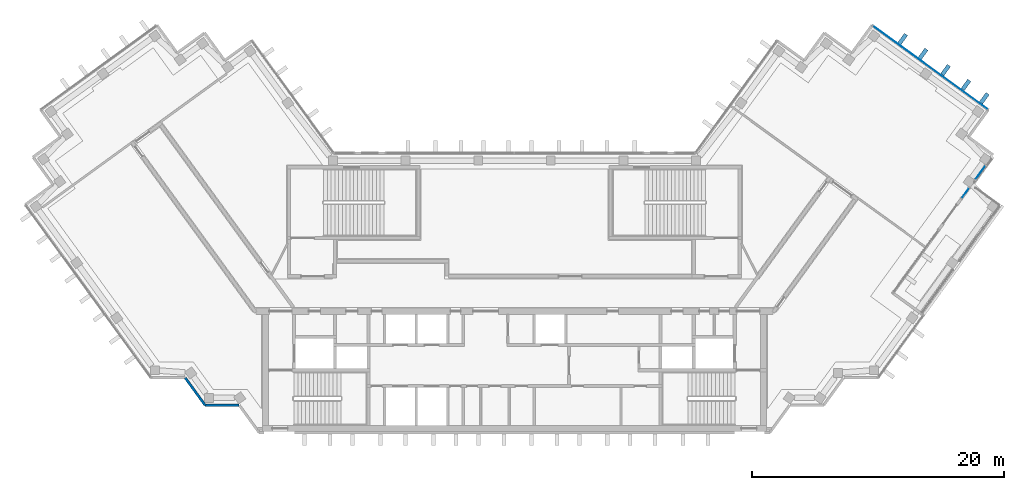
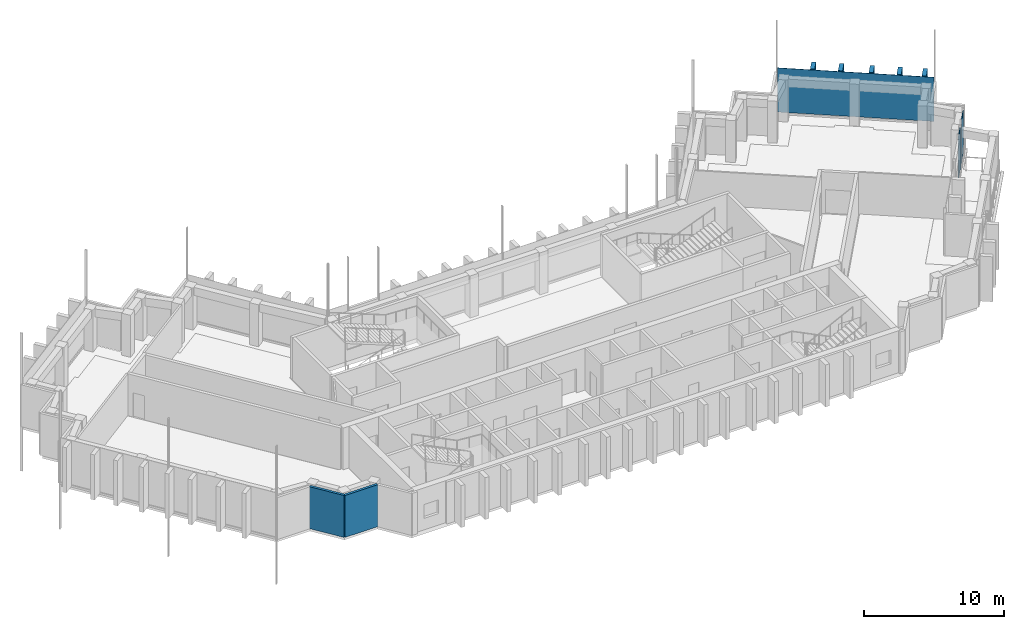
# One storey, part 8 of 14: 8 plates, 2 walls, 3 elements without a shape of their own.
"""IFC4 building model written with IfcOpenShell, lengths in metres."""

from ifc_helpers import new_model, si_unit, direction, frame, frame_2d, origin, origin_2d, place, context, subcontext, project, spatial, rectangle, extrude, material, layer, layer_set, type_object, element, aggregate, save


model = new_model("IFC4")

# Units and contexts
model_context = context("Model", 3, precision=1e-05, world=origin(), true_north=direction((0.0, 1.0)))
body_context = subcontext(model_context, "Body", "Model", "MODEL_VIEW")
ifc_project = project(units=[si_unit("LENGTHUNIT", "METRE"), si_unit("AREAUNIT", "SQUARE_METRE"), si_unit("VOLUMEUNIT", "CUBIC_METRE"), si_unit("PLANEANGLEUNIT", "RADIAN"), si_unit("MASSUNIT", "GRAM", prefix="KILO")], contexts=[model_context])

# Site, building, storey
site_placement = place(None, origin())
site = spatial("IfcSite", under=ifc_project, at=site_placement, CompositionType="ELEMENT")
building_placement = place(site_placement, origin())
building = spatial("IfcBuilding", under=site, at=building_placement, Name="Quipu Civic Tower", CompositionType="ELEMENT")
storey_placement = place(building_placement, frame((0.0, 0.0, 311.0)))
storey = spatial("IfcBuildingStorey", under=building, at=storey_placement, Name="L72", CompositionType="ELEMENT", Elevation=311.0)

# Curtain wall, plate
ifc_material_1 = material(Name="Insulated glass unit", Category="glass")
curtain_wall_type = type_object("IfcCurtainWallType", Name="Office curtain wall CW1", PredefinedType="NOTDEFINED", material=ifc_material_1)
curtain_wall_1_placement = place(storey_placement, origin())
curtain_wall_1 = element("IfcCurtainWall", 1, at=curtain_wall_1_placement, inside=storey, type_object=curtain_wall_type, Name="Office curtain wall CW1 L72 run 5", PredefinedType="NOTDEFINED")
ifc_material_2 = material(Name="Insulated glass unit", Category="glass")
ifc_layer = layer(ifc_material_2, 0.028076171875)
ifc_layer_set = layer_set([ifc_layer], Name="Insulated glass unit")
plate_type_1 = type_object("IfcPlateType", Name="Glass panel CW1", PredefinedType="CURTAIN_PANEL", material=ifc_layer_set)
plate_1_placement = place(storey_placement, frame((35.766357421875, 7.919921875, 0.240234375), z_axis=(0.0, 0.0, 1.0), x_axis=(0.587814943242, 0.808995421805, 0.0)))
plate_1 = element("IfcPlate", 2, at=plate_1_placement, type_object=plate_type_1, Name="CW1 panel 1.1", PredefinedType="CURTAIN_PANEL", context=body_context, shape_type="SweptSolid", body=[
    extrude(rectangle(XDim=0.990234375, YDim=0.028076171875, at=origin_2d()), origin(), (0.0, 0.0, 1.0), 3.679931640625),
])
aggregate(curtain_wall_1, [plate_1])

curtain_wall_2_placement = place(storey_placement, origin())
curtain_wall_2 = element("IfcCurtainWall", 3, at=curtain_wall_2_placement, inside=storey, type_object=curtain_wall_type, Name="Office curtain wall CW1 L72 run 6", PredefinedType="NOTDEFINED")
plate_2_placement = place(storey_placement, frame((36.956787109375, 9.558349609375, 0.240234375), z_axis=(0.0, 0.0, 1.0), x_axis=(0.587771284804, 0.809027142165, 0.0)))
plate_2 = element("IfcPlate", 4, at=plate_2_placement, type_object=plate_type_1, Name="CW1 panel 1.1", PredefinedType="CURTAIN_PANEL", context=body_context, shape_type="SweptSolid", body=[
    extrude(rectangle(XDim=1.340087890625, YDim=0.028076171875, at=origin_2d()), origin(), (0.0, 0.0, 1.0), 3.679931640625),
])
aggregate(curtain_wall_2, [plate_2])

curtain_wall_3_placement = place(storey_placement, origin())
curtain_wall_3 = element("IfcCurtainWall", 5, at=curtain_wall_3_placement, inside=storey, type_object=curtain_wall_type, Name="Office curtain wall CW1 L71 run 6", PredefinedType="NOTDEFINED")
plate_3_placement = place(storey_placement, frame((32.989990234375, 17.87939453125, 0.16015625), z_axis=(0.0, 0.0, 1.0), x_axis=(-0.809015176832, 0.587787753918, 0.0)))
plate_3 = element("IfcPlate", 6, at=plate_3_placement, type_object=plate_type_1, Name="CW1 panel 1.2", PredefinedType="CURTAIN_PANEL", context=body_context, shape_type="SweptSolid", body=[
    extrude(rectangle(XDim=11.239990234375, YDim=0.028076171875, at=origin_2d()), origin(), (0.0, 0.0, 1.0), 3.840087890625),
])
aggregate(curtain_wall_3, [plate_3])

# Plates
ifc_material_3 = material(Name="Precast concrete C40/50", Category="concrete")
plate_type_2 = type_object("IfcPlateType", Name="Precast fin F3", PredefinedType="SHEET", material=ifc_material_3)
for number, where, z_axis, x_axis, name in (
    (7, (37.26953125, 15.449951171875, 0.080078125), (0.0, 0.0, 1.0), (-0.809017072762, 0.587785144401, 0.0), "Precast fin F3 L72.P02.1"),
    (8, (35.813232421875, 16.508056640625, 0.080078125), (0.0, 0.0, 1.0), (-0.809017072762, 0.587785144401, 0.0), "Precast fin F3 L72.P02.2"),
    (9, (34.1953125, 17.68359375, 0.080078125), (0.0, 0.0, 1.0), (-0.809017072762, 0.587785144401, 0.0), "Precast fin F3 L72.P02.3"),
    (10, (32.415283203125, 18.976806640625, 0.080078125), (0.0, 0.0, 1.0), (-0.809017072762, 0.587785144401, 0.0), "Precast fin F3 L72.P02.4"),
    (11, (30.79736328125, 20.15234375, 0.080078125), (0.0, 0.0, 1.0), (-0.809017072762, 0.587785144401, 0.0), "Precast fin F3 L72.P02.5"),
):
    element("IfcPlate", number, at=place(storey_placement, frame(where, z_axis=z_axis, x_axis=x_axis)), inside=storey, type_object=plate_type_2, Name=name, PredefinedType="SHEET", context=body_context, shape_type="SweptSolid", body=[
        extrude(rectangle(XDim=0.320068359375, YDim=0.89990234375, at=origin_2d()), origin(), (0.0, 0.0, 1.0), 3.919921875),
    ])

# Walls
ifc_material_4 = material(Name="Precast concrete C40/50", Category="concrete")
wall_type = type_object("IfcWallType", Name="Precast cladding wall", PredefinedType="SOLIDWALL", material=ifc_material_4)
wall_1_placement = place(storey_placement, frame((-26.1201171875, -6.72412109375, 0.0), z_axis=(0.0, 0.0, 1.0), x_axis=(0.587720002413, -0.809064397168, 0.0)))
element("IfcWall", 12, at=wall_1_placement, inside=storey, type_object=wall_type, Name="Precast cladding wall L72 P25", PredefinedType="SOLIDWALL", context=body_context, shape_type="SweptSolid", body=[
    extrude(rectangle(XDim=2.7001953125, YDim=0.199951171875, at=frame_2d((1.35009765625, 0.0))), origin(), (0.0, 0.0, 1.0), 3.64990234375),
])
wall_2_placement = place(storey_placement, frame((-24.542724609375, -8.90380859375, 0.0), z_axis=(0.0, 0.0, 1.0), x_axis=(1.0, 0.0, 0.0)))
element("IfcWall", 13, at=wall_2_placement, inside=storey, type_object=wall_type, Name="Precast cladding wall L72 P26", PredefinedType="SOLIDWALL", context=body_context, shape_type="SweptSolid", body=[
    extrude(rectangle(XDim=2.699951171875, YDim=0.199951171875, at=frame_2d((1.35009765625, 0.0))), origin(), (0.0, 0.0, 1.0), 3.64990234375),
])

save(model, "model.ifc")
